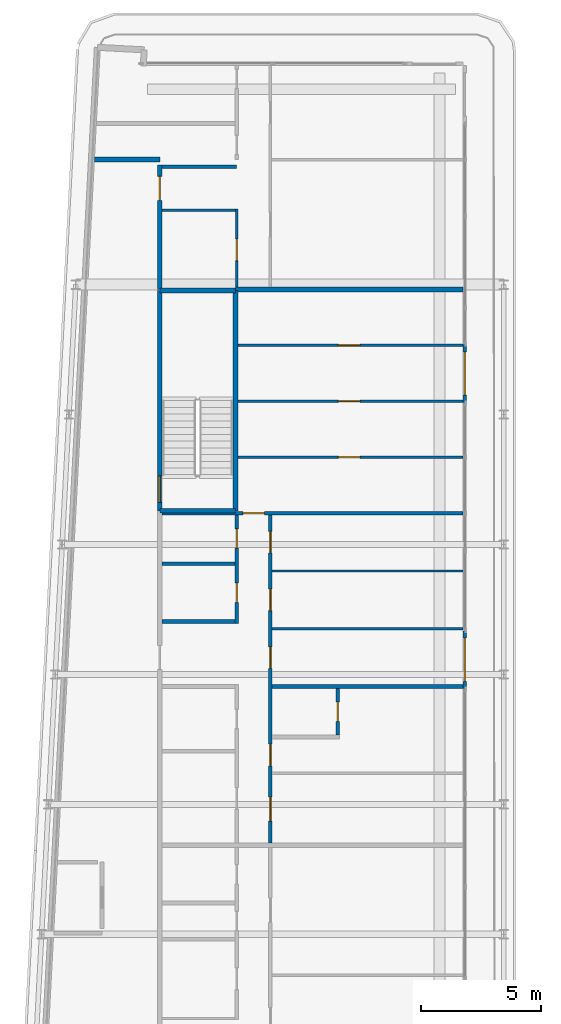
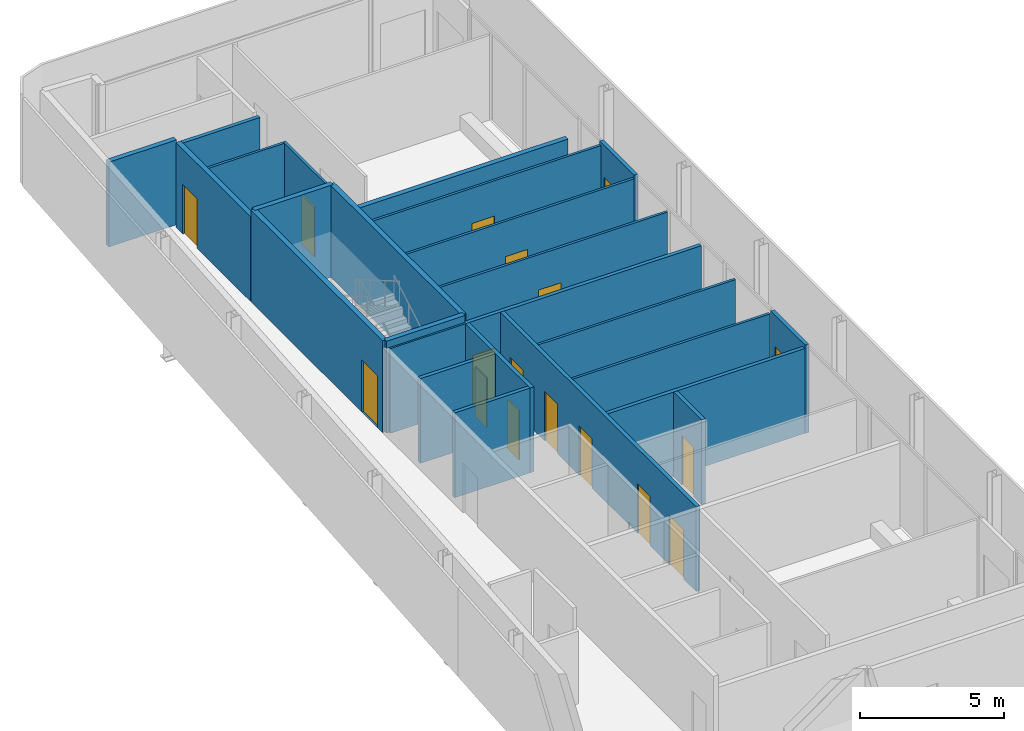
# One storey, part 11 of 18: 24 walls, 17 doors, 17 openings.
"""IFC4 building model written with IfcOpenShell, lengths in metres."""

from ifc_helpers import new_model, si_unit, direction, frame, frame_2d, origin, place, context, subcontext, project, spatial, rectangle, extrude, source, transform, mapped, material, layer, layer_set, type_object, element, fill, save


model = new_model("IFC4")

# Units and contexts
model_context = context("Model", 3, precision=1e-05, world=origin(), true_north=direction((0.0, 1.0)))
body_context = subcontext(model_context, "Body", "Model", "MODEL_VIEW")
ifc_project = project(units=[si_unit("LENGTHUNIT", "METRE"), si_unit("AREAUNIT", "SQUARE_METRE"), si_unit("VOLUMEUNIT", "CUBIC_METRE"), si_unit("PLANEANGLEUNIT", "RADIAN"), si_unit("MASSUNIT", "GRAM", prefix="KILO")], contexts=[model_context])

# Site, building, storey
site_placement = place(None, origin())
site = spatial("IfcSite", under=ifc_project, at=site_placement, CompositionType="ELEMENT")
building_placement = place(site_placement, origin())
building = spatial("IfcBuilding", under=site, at=building_placement, Name="Kheshtan School and Residences Tower", CompositionType="ELEMENT")
storey_placement = place(building_placement, frame((0.0, 0.0, 361.699951171875)))
storey = spatial("IfcBuildingStorey", under=building, at=storey_placement, Name="L85", CompositionType="ELEMENT", Elevation=361.699951171875)

# Wall
ifc_material_1 = material(Name="Gypsum board on steel studs with fire boards", Category="steel")
ifc_layer_1 = layer(ifc_material_1, 0.199951171875)
ifc_layer_set_1 = layer_set([ifc_layer_1], Name="Corridor wall 200")
wall_type_1 = type_object("IfcWallType", Name="Corridor wall 200", PredefinedType="PARTITIONING", material=ifc_layer_set_1)
wall_1_placement = place(storey_placement, frame((30.584716796875, 94.0, 0.0), z_axis=(0.0, 0.0, 1.0), x_axis=(1.0, 0.0, 0.0)))
element("IfcWall", 1, at=wall_1_placement, inside=storey, type_object=wall_type_1, Name="Partition L85-002", PredefinedType="PARTITIONING", context=body_context, shape_type="SweptSolid", body=[
    extrude(rectangle(XDim=2.71533203125, YDim=0.199951171875, at=frame_2d((1.357666015625, 0.0))), origin(), (0.0, 0.0, 1.0), 3.60009765625),
])

# Wall, opening, door
wall_2_placement = place(storey_placement, frame((33.300048828125, 88.60009765625, 0.0), z_axis=(0.0, 0.0, 1.0), x_axis=(0.0, 1.0, 0.0)))
wall_2 = element("IfcWall", 2, at=wall_2_placement, inside=storey, type_object=wall_type_1, Name="Partition L85-004", PredefinedType="PARTITIONING", context=body_context, shape_type="SweptSolid", body=[
    extrude(rectangle(XDim=5.1748046875, YDim=0.199951171875, at=frame_2d((2.58740234375, 0.0))), origin(), (0.0, 0.0, 1.0), 3.60009765625),
])
opening_1_placement = place(wall_2_placement, frame((3.699951171875, 0.0, 0.0)))
opening_1 = element("IfcOpeningElement", 3, at=opening_1_placement, cuts=wall_2, Name="Opening D85-024", PredefinedType="OPENING", context=body_context, shape_type="SweptSolid", body=[
    extrude(rectangle(XDim=1.0, YDim=2.10009765625, at=frame_2d((0.5, 1.050048828125))), frame((0.0, 0.10986328125, 0.0), z_axis=(0.0, -1.0, 0.0), x_axis=(1.0, 0.0, 0.0)), (0.0, 0.0, 1.0), 0.219970703125),
])
ifc_material_2 = material(Name="Steel-framed fire-resisting door leaf", Category="steel")
door_type_1 = type_object("IfcDoorType", Name="Fire door FD30S 1000 x 2100", OperationType="SINGLE_SWING_LEFT", PredefinedType="DOOR", material=ifc_material_2)
shared_shape_1 = source(origin(), body_context, "Body", "SweptSolid", [
    extrude(rectangle(XDim=1.0, YDim=2.10009765625, at=frame_2d((0.5, 1.050048828125))), frame((0.0, 0.02490234375, 0.0), z_axis=(0.0, -1.0, 0.0), x_axis=(1.0, 0.0, 0.0)), (0.0, 0.0, 1.0), 0.050048828125),
])
door_1_placement = place(opening_1_placement, origin())
door_1 = element("IfcDoor", 4, at=door_1_placement, inside=storey, type_object=door_type_1, Name="Door D85-024", OperationType="SINGLE_SWING_RIGHT", OverallHeight=2.10009765625, OverallWidth=1.0, PredefinedType="DOOR", context=body_context, shape_type="MappedRepresentation", body=[
    mapped(shared_shape_1, transform((0.0, 0.0, 0.0), x_axis=(1.0, 0.0, 0.0), y_axis=(0.0, 1.0, 0.0), z_axis=(0.0, 0.0, 1.0), scale=1.0)),
])
fill(opening_1, door_1)

ifc_material_3 = material(Name="Aluminium frame wall with insulated infill", Category="aluminium")
ifc_layer_2 = layer(ifc_material_3, 0.14990234375)
ifc_layer_set_2 = layer_set([ifc_layer_2], Name="Glazing frame wall 150")
wall_type_2 = type_object("IfcWallType", Name="Glazing frame wall 150", PredefinedType="SOLIDWALL", material=ifc_layer_set_2)
wall_3_placement = place(storey_placement, frame((45.97509765625, 86.305908203125, 0.0), z_axis=(0.0, 0.0, 1.0), x_axis=(0.0, -1.0, 0.0)))
wall_3 = element("IfcWall", 5, at=wall_3_placement, inside=storey, type_object=wall_type_2, Name="Balcony door wall L85 8.2", PredefinedType="SOLIDWALL", context=body_context, shape_type="SweptSolid", body=[
    extrude(rectangle(XDim=2.39990234375, YDim=0.14990234375, at=frame_2d((1.199951171875, 0.0))), origin(), (0.0, 0.0, 1.0), 3.75),
])
opening_2_placement = place(wall_3_placement, frame((0.300048828125, 0.0, 0.0)))
opening_2 = element("IfcOpeningElement", 6, at=opening_2_placement, cuts=wall_3, Name="Opening BD", PredefinedType="OPENING", context=body_context, shape_type="SweptSolid", body=[
    extrude(rectangle(XDim=1.800048828125, YDim=2.39990234375, at=frame_2d((0.89990234375, 1.199951171875))), frame((0.0, 0.0849609375, 0.0), z_axis=(0.0, -1.0, 0.0), x_axis=(1.0, 0.0, 0.0)), (0.0, 0.0, 1.0), 0.169921875),
])
ifc_material_4 = material(Name="Clear low-e glass in thermally broken aluminium frame", Category="aluminium")
door_type_2 = type_object("IfcDoorType", Name="Balcony sliding door", OperationType="SLIDING_TO_LEFT", PredefinedType="DOOR", material=ifc_material_4)
shared_shape_2 = source(origin(), body_context, "Body", "SweptSolid", [
    extrude(rectangle(XDim=1.800048828125, YDim=2.39990234375, at=frame_2d((0.89990234375, 1.199951171875))), frame((0.0, 0.02490234375, 0.0), z_axis=(0.0, -1.0, 0.0), x_axis=(1.0, 0.0, 0.0)), (0.0, 0.0, 1.0), 0.050048828125),
])
door_2_placement = place(opening_2_placement, origin())
door_2 = element("IfcDoor", 7, at=door_2_placement, inside=storey, type_object=door_type_2, Name="Balcony door L85 8.2", OperationType="SLIDING_TO_LEFT", OverallHeight=2.39990234375, OverallWidth=1.800048828125, PredefinedType="DOOR", context=body_context, shape_type="MappedRepresentation", body=[
    mapped(shared_shape_2, transform((0.0, 0.0, 0.0), x_axis=(1.0, 0.0, 0.0), y_axis=(0.0, 1.0, 0.0), z_axis=(0.0, 0.0, 1.0), scale=1.0)),
])
fill(opening_2, door_2)

wall_4_placement = place(storey_placement, frame((45.97509765625, 74.412109375, 0.0), z_axis=(0.0, 0.0, 1.0), x_axis=(0.0, -1.0, 0.0)))
wall_4 = element("IfcWall", 8, at=wall_4_placement, inside=storey, type_object=wall_type_2, Name="Balcony door wall L85 8.3", PredefinedType="SOLIDWALL", context=body_context, shape_type="SweptSolid", body=[
    extrude(rectangle(XDim=2.400146484375, YDim=0.14990234375, at=frame_2d((1.2001953125, 0.0))), origin(), (0.0, 0.0, 1.0), 3.75),
])
opening_3_placement = place(wall_4_placement, frame((0.300048828125, 0.0, 0.0)))
opening_3 = element("IfcOpeningElement", 9, at=opening_3_placement, cuts=wall_4, Name="Opening BD", PredefinedType="OPENING", context=body_context, shape_type="SweptSolid", body=[
    extrude(rectangle(XDim=1.800048828125, YDim=2.39990234375, at=frame_2d((0.89990234375, 1.199951171875))), frame((0.0, 0.0849609375, 0.0), z_axis=(0.0, -1.0, 0.0), x_axis=(1.0, 0.0, 0.0)), (0.0, 0.0, 1.0), 0.169921875),
])
door_3_placement = place(opening_3_placement, origin())
door_3 = element("IfcDoor", 10, at=door_3_placement, inside=storey, type_object=door_type_2, Name="Balcony door L85 8.3", OperationType="SLIDING_TO_LEFT", OverallHeight=2.39990234375, OverallWidth=1.800048828125, PredefinedType="DOOR", context=body_context, shape_type="MappedRepresentation", body=[
    mapped(shared_shape_2, transform((0.0, 0.0, 0.0), x_axis=(1.0, 0.0, 0.0), y_axis=(0.0, 1.0, 0.0), z_axis=(0.0, 0.0, 1.0), scale=1.0)),
])
fill(opening_3, door_3)

# Wall
ifc_material_5 = material(Name="Gypsum board on steel studs", Category="steel")
ifc_layer_3 = layer(ifc_material_5, 0.10009765625)
ifc_layer_set_3 = layer_set([ifc_layer_3], Name="Gypsum partition 100")
wall_type_3 = type_object("IfcWallType", Name="Gypsum partition 100", PredefinedType="PARTITIONING", material=ifc_layer_set_3)
wall_5_placement = place(storey_placement, frame((33.39990234375, 91.89990234375, 0.0), z_axis=(0.0, 0.0, 1.0), x_axis=(1.0, 0.0, 0.0)))
element("IfcWall", 11, at=wall_5_placement, inside=storey, type_object=wall_type_3, Name="Partition L85-015", PredefinedType="PARTITIONING", context=body_context, shape_type="SweptSolid", body=[
    extrude(rectangle(XDim=3.050048828125, YDim=0.10009765625, at=frame_2d((1.52490234375, 0.0))), origin(), (0.0, 0.0, 1.0), 3.60009765625),
])

# Wall, opening, door
wall_6_placement = place(storey_placement, frame((36.5, 88.699951171875, 0.0), z_axis=(0.0, 0.0, 1.0), x_axis=(0.0, 1.0, 0.0)))
wall_6 = element("IfcWall", 12, at=wall_6_placement, inside=storey, type_object=wall_type_3, Name="Partition L85-022", PredefinedType="PARTITIONING", context=body_context, shape_type="SweptSolid", body=[
    extrude(rectangle(XDim=3.25, YDim=0.10009765625, at=frame_2d((1.625, 0.0))), origin(), (0.0, 0.0, 1.0), 3.60009765625),
])
opening_4_placement = place(wall_6_placement, frame((1.10009765625, 0.0, 0.0)))
opening_4 = element("IfcOpeningElement", 13, at=opening_4_placement, cuts=wall_6, Name="Opening D85-025", PredefinedType="OPENING", context=body_context, shape_type="SweptSolid", body=[
    extrude(rectangle(XDim=0.89990234375, YDim=2.10009765625, at=frame_2d((0.449951171875, 1.050048828125))), frame((0.0, 0.06005859375, 0.0), z_axis=(0.0, -1.0, 0.0), x_axis=(1.0, 0.0, 0.0)), (0.0, 0.0, 1.0), 0.1201171875),
])
ifc_material_6 = material(Name="Veneered timber door leaf", Category="wood")
door_type_3 = type_object("IfcDoorType", Name="Door 900 x 2100", OperationType="SINGLE_SWING_LEFT", PredefinedType="DOOR", material=ifc_material_6)
shared_shape_3 = source(origin(), body_context, "Body", "SweptSolid", [
    extrude(rectangle(XDim=0.89990234375, YDim=2.10009765625, at=frame_2d((0.449951171875, 1.050048828125))), frame((0.0, 0.02490234375, 0.0), z_axis=(0.0, -1.0, 0.0), x_axis=(1.0, 0.0, 0.0)), (0.0, 0.0, 1.0), 0.050048828125),
])
door_4_placement = place(opening_4_placement, origin())
door_4 = element("IfcDoor", 14, at=door_4_placement, inside=storey, type_object=door_type_3, Name="Door D85-025", OperationType="SINGLE_SWING_LEFT", OverallHeight=2.10009765625, OverallWidth=0.89990234375, PredefinedType="DOOR", context=body_context, shape_type="MappedRepresentation", body=[
    mapped(shared_shape_3, transform((0.0, 0.0, 0.0), x_axis=(1.0, 0.0, 0.0), y_axis=(0.0, 1.0, 0.0), z_axis=(0.0, 0.0, 1.0), scale=1.0)),
])
fill(opening_4, door_4)

wall_7_placement = place(storey_placement, frame((36.549072265625, 81.625, 0.0), z_axis=(0.0, 0.0, 1.0), x_axis=(1.0, 0.0, 0.0)))
wall_7 = element("IfcWall", 15, at=wall_7_placement, inside=storey, type_object=wall_type_3, Name="Partition L85-024", PredefinedType="PARTITIONING", context=body_context, shape_type="SweptSolid", body=[
    extrude(rectangle(XDim=9.350830078125, YDim=0.10009765625, at=frame_2d((4.67529296875, 0.0))), origin(), (0.0, 0.0, 1.0), 3.60009765625),
])
opening_5_placement = place(wall_7_placement, frame((4.176025390625, 0.0, 0.0)))
opening_5 = element("IfcOpeningElement", 16, at=opening_5_placement, cuts=wall_7, Name="Opening D85-019", PredefinedType="OPENING", context=body_context, shape_type="SweptSolid", body=[
    extrude(rectangle(XDim=0.89990234375, YDim=2.10009765625, at=frame_2d((0.449951171875, 1.050048828125))), frame((0.0, 0.06005859375, 0.0), z_axis=(0.0, -1.0, 0.0), x_axis=(1.0, 0.0, 0.0)), (0.0, 0.0, 1.0), 0.1201171875),
])
door_5_placement = place(opening_5_placement, origin())
door_5 = element("IfcDoor", 17, at=door_5_placement, inside=storey, type_object=door_type_3, Name="Door D85-019", OperationType="SINGLE_SWING_RIGHT", OverallHeight=2.10009765625, OverallWidth=0.89990234375, PredefinedType="DOOR", context=body_context, shape_type="MappedRepresentation", body=[
    mapped(shared_shape_3, transform((0.0, 0.0, 0.0), x_axis=(1.0, 0.0, 0.0), y_axis=(0.0, 1.0, 0.0), z_axis=(0.0, 0.0, 1.0), scale=1.0)),
])
fill(opening_5, door_5)

wall_8_placement = place(storey_placement, frame((36.549072265625, 83.949951171875, 0.0), z_axis=(0.0, 0.0, 1.0), x_axis=(1.0, 0.0, 0.0)))
wall_8 = element("IfcWall", 18, at=wall_8_placement, inside=storey, type_object=wall_type_3, Name="Partition L85-025", PredefinedType="PARTITIONING", context=body_context, shape_type="SweptSolid", body=[
    extrude(rectangle(XDim=9.350830078125, YDim=0.10009765625, at=frame_2d((4.67529296875, 0.0))), origin(), (0.0, 0.0, 1.0), 3.60009765625),
])
opening_6_placement = place(wall_8_placement, frame((4.176025390625, 0.0, 0.0)))
opening_6 = element("IfcOpeningElement", 19, at=opening_6_placement, cuts=wall_8, Name="Opening D85-020", PredefinedType="OPENING", context=body_context, shape_type="SweptSolid", body=[
    extrude(rectangle(XDim=0.89990234375, YDim=2.10009765625, at=frame_2d((0.449951171875, 1.050048828125))), frame((0.0, 0.06005859375, 0.0), z_axis=(0.0, -1.0, 0.0), x_axis=(1.0, 0.0, 0.0)), (0.0, 0.0, 1.0), 0.1201171875),
])
door_6_placement = place(opening_6_placement, origin())
door_6 = element("IfcDoor", 20, at=door_6_placement, inside=storey, type_object=door_type_3, Name="Door D85-020", OperationType="SINGLE_SWING_RIGHT", OverallHeight=2.10009765625, OverallWidth=0.89990234375, PredefinedType="DOOR", context=body_context, shape_type="MappedRepresentation", body=[
    mapped(shared_shape_3, transform((0.0, 0.0, 0.0), x_axis=(1.0, 0.0, 0.0), y_axis=(0.0, 1.0, 0.0), z_axis=(0.0, 0.0, 1.0), scale=1.0)),
])
fill(opening_6, door_6)

wall_9_placement = place(storey_placement, frame((36.549072265625, 86.27490234375, 0.0), z_axis=(0.0, 0.0, 1.0), x_axis=(1.0, 0.0, 0.0)))
wall_9 = element("IfcWall", 21, at=wall_9_placement, inside=storey, type_object=wall_type_3, Name="Partition L85-026", PredefinedType="PARTITIONING", context=body_context, shape_type="SweptSolid", body=[
    extrude(rectangle(XDim=9.350830078125, YDim=0.10009765625, at=frame_2d((4.67529296875, 0.0))), origin(), (0.0, 0.0, 1.0), 3.60009765625),
])
opening_7_placement = place(wall_9_placement, frame((4.176025390625, 0.0, 0.0)))
opening_7 = element("IfcOpeningElement", 22, at=opening_7_placement, cuts=wall_9, Name="Opening D85-021", PredefinedType="OPENING", context=body_context, shape_type="SweptSolid", body=[
    extrude(rectangle(XDim=0.89990234375, YDim=2.10009765625, at=frame_2d((0.449951171875, 1.050048828125))), frame((0.0, 0.06005859375, 0.0), z_axis=(0.0, -1.0, 0.0), x_axis=(1.0, 0.0, 0.0)), (0.0, 0.0, 1.0), 0.1201171875),
])
door_7_placement = place(opening_7_placement, origin())
door_7 = element("IfcDoor", 23, at=door_7_placement, inside=storey, type_object=door_type_3, Name="Door D85-021", OperationType="SINGLE_SWING_RIGHT", OverallHeight=2.10009765625, OverallWidth=0.89990234375, PredefinedType="DOOR", context=body_context, shape_type="MappedRepresentation", body=[
    mapped(shared_shape_3, transform((0.0, 0.0, 0.0), x_axis=(1.0, 0.0, 0.0), y_axis=(0.0, 1.0, 0.0), z_axis=(0.0, 0.0, 1.0), scale=1.0)),
])
fill(opening_7, door_7)

# Walls
for number, where, z_axis, x_axis, name in (
    (24, (37.97509765625, 74.5, 0.0), (0.0, 0.0, 1.0), (1.0, 0.0, 0.0), "Partition L85-035"),
    (25, (37.97509765625, 76.89990234375, 0.0), (0.0, 0.0, 1.0), (1.0, 0.0, 0.0), "Partition L85-036"),
):
    element("IfcWall", number, at=place(storey_placement, frame(where, z_axis=z_axis, x_axis=x_axis)), inside=storey, type_object=wall_type_3, Name=name, PredefinedType="PARTITIONING", context=body_context, shape_type="SweptSolid", body=[
        extrude(rectangle(XDim=7.9248046875, YDim=0.10009765625, at=frame_2d((3.96240234375, 0.0))), origin(), (0.0, 0.0, 1.0), 3.60009765625),
    ])
ifc_material_7 = material(Name="Concrete C40/50", Category="concrete")
ifc_layer_4 = layer(ifc_material_7, 0.199951171875)
ifc_layer_set_4 = layer_set([ifc_layer_4], Name="Stair enclosure wall 200 Concrete C40/50")
wall_type_4 = type_object("IfcWallType", Name="Stair enclosure wall 200 Concrete C40/50", PredefinedType="SHEAR", material=ifc_layer_set_4)
for number, where, z_axis, x_axis, name in (
    (26, (33.300048828125, 79.39990234375, 0.0), (0.0, 0.0, 1.0), (1.0, 0.0, 0.0), "Stair enclosure wall ST3"),
    (27, (33.300048828125, 88.56005859375, 0.0), (0.0, 0.0, 1.0), (1.0, 0.0, 0.0), "Stair enclosure wall ST3"),
):
    element("IfcWall", number, at=place(storey_placement, frame(where, z_axis=z_axis, x_axis=x_axis)), inside=storey, type_object=wall_type_4, Name=name, PredefinedType="SHEAR", context=body_context, shape_type="SweptSolid", body=[
        extrude(rectangle(XDim=3.14990234375, YDim=0.199951171875, at=frame_2d((1.574951171875, 0.0))), origin(), (0.0, 0.0, 1.0), 3.900146484375),
    ])

# Wall, opening, door
wall_10_placement = place(storey_placement, frame((33.300048828125, 79.39990234375, 0.0), z_axis=(0.0, 0.0, 1.0), x_axis=(0.0, 1.0, 0.0)))
wall_10 = element("IfcWall", 28, at=wall_10_placement, inside=storey, type_object=wall_type_4, Name="Stair enclosure wall ST3", PredefinedType="SHEAR", context=body_context, shape_type="SweptSolid", body=[
    extrude(rectangle(XDim=9.16015625, YDim=0.199951171875, at=frame_2d((4.580078125, 0.0))), origin(), (0.0, 0.0, 1.0), 3.900146484375),
])
opening_8_placement = place(wall_10_placement, frame((0.35009765625, 0.0, 0.0)))
opening_8 = element("IfcOpeningElement", 29, at=opening_8_placement, cuts=wall_10, Name="Opening ST3D", PredefinedType="OPENING", context=body_context, shape_type="SweptSolid", body=[
    extrude(rectangle(XDim=1.10009765625, YDim=2.199951171875, at=frame_2d((0.550048828125, 1.10009765625))), frame((0.0, 0.10986328125, 0.0), z_axis=(0.0, -1.0, 0.0), x_axis=(1.0, 0.0, 0.0)), (0.0, 0.0, 1.0), 0.219970703125),
])
ifc_material_8 = material(Name="Steel door leaf, galvanised", Category="steel")
door_type_4 = type_object("IfcDoorType", Name="Stair door 1100 steel 90 min", OperationType="SINGLE_SWING_LEFT", PredefinedType="DOOR", material=ifc_material_8)
shared_shape_4 = source(origin(), body_context, "Body", "SweptSolid", [
    extrude(rectangle(XDim=1.10009765625, YDim=2.199951171875, at=frame_2d((0.550048828125, 1.10009765625))), frame((0.0, 0.02490234375, 0.0), z_axis=(0.0, -1.0, 0.0), x_axis=(1.0, 0.0, 0.0)), (0.0, 0.0, 1.0), 0.050048828125),
])
door_8_placement = place(opening_8_placement, origin())
door_8 = element("IfcDoor", 30, at=door_8_placement, inside=storey, type_object=door_type_4, Name="Stair ST3 door", OperationType="SINGLE_SWING_RIGHT", OverallHeight=2.199951171875, OverallWidth=1.10009765625, PredefinedType="DOOR", context=body_context, shape_type="MappedRepresentation", body=[
    mapped(shared_shape_4, transform((0.0, 0.0, 0.0), x_axis=(1.0, 0.0, 0.0), y_axis=(0.0, 1.0, 0.0), z_axis=(0.0, 0.0, 1.0), scale=1.0)),
])
fill(opening_8, door_8)

# Walls
wall_11_placement = place(storey_placement, frame((36.449951171875, 79.39990234375, 0.0), z_axis=(0.0, 0.0, 1.0), x_axis=(0.0, 1.0, 0.0)))
element("IfcWall", 31, at=wall_11_placement, inside=storey, type_object=wall_type_4, Name="Stair enclosure wall ST3", PredefinedType="SHEAR", context=body_context, shape_type="SweptSolid", body=[
    extrude(rectangle(XDim=9.16015625, YDim=0.199951171875, at=frame_2d((4.580078125, 0.0))), origin(), (0.0, 0.0, 1.0), 3.900146484375),
])
ifc_material_9 = material(Name="Twin gypsum board on steel studs with mineral wool", Category="steel")
ifc_layer_5 = layer(ifc_material_9, 0.199951171875)
ifc_layer_set_5 = layer_set([ifc_layer_5], Name="Unit demising wall 200")
wall_type_5 = type_object("IfcWallType", Name="Unit demising wall 200", PredefinedType="PARTITIONING", material=ifc_layer_set_5)
wall_12_placement = place(storey_placement, frame((36.449951171875, 88.60009765625, 0.0), z_axis=(0.0, 0.0, 1.0), x_axis=(1.0, 0.0, 0.0)))
element("IfcWall", 32, at=wall_12_placement, inside=storey, type_object=wall_type_5, Name="Partition L85-018", PredefinedType="PARTITIONING", context=body_context, shape_type="SweptSolid", body=[
    extrude(rectangle(XDim=9.449951171875, YDim=0.199951171875, at=frame_2d((4.72509765625, 0.0))), origin(), (0.0, 0.0, 1.0), 2.5),
])
ifc_material_10 = material(Name="Moisture-resistant gypsum board on steel studs", Category="steel")
ifc_layer_6 = layer(ifc_material_10, 0.14990234375)
ifc_layer_set_6 = layer_set([ifc_layer_6], Name="Wet-room partition 150")
wall_type_6 = type_object("IfcWallType", Name="Wet-room partition 150", PredefinedType="PARTITIONING", material=ifc_layer_set_6)
for number, where, z_axis, x_axis, name in (
    (33, (33.39990234375, 74.800048828125, 0.0), (0.0, 0.0, 1.0), (1.0, 0.0, 0.0), "Partition L85-012"),
    (34, (33.39990234375, 77.199951171875, 0.0), (0.0, 0.0, 1.0), (1.0, 0.0, 0.0), "Partition L85-013"),
):
    element("IfcWall", number, at=place(storey_placement, frame(where, z_axis=z_axis, x_axis=x_axis)), inside=storey, type_object=wall_type_6, Name=name, PredefinedType="PARTITIONING", context=body_context, shape_type="SweptSolid", body=[
        extrude(rectangle(XDim=3.025146484375, YDim=0.14990234375, at=frame_2d((1.5126953125, 0.0))), origin(), (0.0, 0.0, 1.0), 3.60009765625),
    ])

# Wall, opening, door
wall_13_placement = place(storey_placement, frame((33.39990234375, 79.300048828125, 0.0), z_axis=(0.0, 0.0, 1.0), x_axis=(1.0, 0.0, 0.0)))
wall_13 = element("IfcWall", 35, at=wall_13_placement, inside=storey, type_object=wall_type_6, Name="Partition L85-014", PredefinedType="PARTITIONING", context=body_context, shape_type="SweptSolid", body=[
    extrude(rectangle(XDim=12.5, YDim=0.14990234375, at=frame_2d((6.25, 0.0))), origin(), (0.0, 0.0, 1.0), 3.60009765625),
])
opening_9_placement = place(wall_13_placement, frame((3.35009765625, 0.0, 0.0)))
opening_9 = element("IfcOpeningElement", 36, at=opening_9_placement, cuts=wall_13, Name="Opening D85-018", PredefinedType="OPENING", context=body_context, shape_type="SweptSolid", body=[
    extrude(rectangle(XDim=0.89990234375, YDim=2.10009765625, at=frame_2d((0.449951171875, 1.050048828125))), frame((0.0, 0.0849609375, 0.0), z_axis=(0.0, -1.0, 0.0), x_axis=(1.0, 0.0, 0.0)), (0.0, 0.0, 1.0), 0.169921875),
])
door_9_placement = place(opening_9_placement, origin())
door_9 = element("IfcDoor", 37, at=door_9_placement, inside=storey, type_object=door_type_3, Name="Door D85-018", OperationType="SINGLE_SWING_LEFT", OverallHeight=2.10009765625, OverallWidth=0.89990234375, PredefinedType="DOOR", context=body_context, shape_type="MappedRepresentation", body=[
    mapped(shared_shape_3, transform((0.0, 0.0, 0.0), x_axis=(1.0, 0.0, 0.0), y_axis=(0.0, 1.0, 0.0), z_axis=(0.0, 0.0, 1.0), scale=1.0)),
])
fill(opening_9, door_9)

# Wall
wall_14_placement = place(storey_placement, frame((33.39990234375, 93.699951171875, 0.0), z_axis=(0.0, 0.0, 1.0), x_axis=(1.0, 0.0, 0.0)))
element("IfcWall", 38, at=wall_14_placement, inside=storey, type_object=wall_type_6, Name="Partition L85-016", PredefinedType="PARTITIONING", context=body_context, shape_type="SweptSolid", body=[
    extrude(rectangle(XDim=3.10009765625, YDim=0.14990234375, at=frame_2d((1.550048828125, 0.0))), origin(), (0.0, 0.0, 1.0), 3.60009765625),
])

# Wall, openings, doors
wall_15_placement = place(storey_placement, frame((36.5, 74.72509765625, 0.0), z_axis=(0.0, 0.0, 1.0), x_axis=(0.0, 1.0, 0.0)))
wall_15 = element("IfcWall", 39, at=wall_15_placement, inside=storey, type_object=wall_type_6, Name="Partition L85-021", PredefinedType="PARTITIONING", context=body_context, shape_type="SweptSolid", body=[
    extrude(rectangle(XDim=4.5, YDim=0.14990234375, at=frame_2d((2.25, 0.0))), origin(), (0.0, 0.0, 1.0), 3.60009765625),
])
opening_10_placement = place(wall_15_placement, frame((0.875, 0.0, 0.0)))
opening_10 = element("IfcOpeningElement", 40, at=opening_10_placement, cuts=wall_15, Name="Opening D85-008", PredefinedType="OPENING", context=body_context, shape_type="SweptSolid", body=[
    extrude(rectangle(XDim=0.800048828125, YDim=2.10009765625, at=frame_2d((0.39990234375, 1.050048828125))), frame((0.0, 0.0849609375, 0.0), z_axis=(0.0, -1.0, 0.0), x_axis=(1.0, 0.0, 0.0)), (0.0, 0.0, 1.0), 0.169921875),
])
opening_11_placement = place(wall_15_placement, frame((3.125, 0.0, 0.0)))
opening_11 = element("IfcOpeningElement", 41, at=opening_11_placement, cuts=wall_15, Name="Opening D85-017", PredefinedType="OPENING", context=body_context, shape_type="SweptSolid", body=[
    extrude(rectangle(XDim=0.800048828125, YDim=2.10009765625, at=frame_2d((0.39990234375, 1.050048828125))), frame((0.0, 0.0849609375, 0.0), z_axis=(0.0, -1.0, 0.0), x_axis=(1.0, 0.0, 0.0)), (0.0, 0.0, 1.0), 0.169921875),
])
door_type_5 = type_object("IfcDoorType", Name="Door 800 x 2100", OperationType="SINGLE_SWING_LEFT", PredefinedType="DOOR", material=ifc_material_6)
shared_shape_5 = source(origin(), body_context, "Body", "SweptSolid", [
    extrude(rectangle(XDim=0.800048828125, YDim=2.10009765625, at=frame_2d((0.39990234375, 1.050048828125))), frame((0.0, 0.02490234375, 0.0), z_axis=(0.0, -1.0, 0.0), x_axis=(1.0, 0.0, 0.0)), (0.0, 0.0, 1.0), 0.050048828125),
])
door_10_placement = place(opening_10_placement, origin())
door_10 = element("IfcDoor", 42, at=door_10_placement, inside=storey, type_object=door_type_5, Name="Door D85-008", OperationType="SINGLE_SWING_LEFT", OverallHeight=2.10009765625, OverallWidth=0.800048828125, PredefinedType="DOOR", context=body_context, shape_type="MappedRepresentation", body=[
    mapped(shared_shape_5, transform((0.0, 0.0, 0.0), x_axis=(1.0, 0.0, 0.0), y_axis=(0.0, 1.0, 0.0), z_axis=(0.0, 0.0, 1.0), scale=1.0)),
])
fill(opening_10, door_10)
door_11_placement = place(opening_11_placement, origin())
door_11 = element("IfcDoor", 43, at=door_11_placement, inside=storey, type_object=door_type_5, Name="Door D85-017", OperationType="SINGLE_SWING_LEFT", OverallHeight=2.10009765625, OverallWidth=0.800048828125, PredefinedType="DOOR", context=body_context, shape_type="MappedRepresentation", body=[
    mapped(shared_shape_5, transform((0.0, 0.0, 0.0), x_axis=(1.0, 0.0, 0.0), y_axis=(0.0, 1.0, 0.0), z_axis=(0.0, 0.0, 1.0), scale=1.0)),
])
fill(opening_11, door_11)

wall_16_placement = place(storey_placement, frame((37.89990234375, 65.60009765625, 0.0), z_axis=(0.0, 0.0, 1.0), x_axis=(0.0, 1.0, 0.0)))
wall_16 = element("IfcWall", 44, at=wall_16_placement, inside=storey, type_object=wall_type_6, Name="Partition L85-028", PredefinedType="PARTITIONING", context=body_context, shape_type="SweptSolid", body=[
    extrude(rectangle(XDim=13.625, YDim=0.14990234375, at=frame_2d((6.8125, 0.0))), origin(), (0.0, 0.0, 1.0), 3.60009765625),
])
opening_12_placement = place(wall_16_placement, frame((7.25, 0.0, 0.0)))
opening_12 = element("IfcOpeningElement", 45, at=opening_12_placement, cuts=wall_16, Name="Opening D85-009", PredefinedType="OPENING", context=body_context, shape_type="SweptSolid", body=[
    extrude(rectangle(XDim=0.89990234375, YDim=2.10009765625, at=frame_2d((0.449951171875, 1.050048828125))), frame((0.0, 0.0849609375, 0.0), z_axis=(0.0, -1.0, 0.0), x_axis=(1.0, 0.0, 0.0)), (0.0, 0.0, 1.0), 0.169921875),
])
opening_13_placement = place(wall_16_placement, frame((12.050048828125, 0.0, 0.0)))
opening_13 = element("IfcOpeningElement", 46, at=opening_13_placement, cuts=wall_16, Name="Opening D85-010", PredefinedType="OPENING", context=body_context, shape_type="SweptSolid", body=[
    extrude(rectangle(XDim=0.89990234375, YDim=2.10009765625, at=frame_2d((0.449951171875, 1.050048828125))), frame((0.0, 0.0849609375, 0.0), z_axis=(0.0, -1.0, 0.0), x_axis=(1.0, 0.0, 0.0)), (0.0, 0.0, 1.0), 0.169921875),
])
opening_14_placement = place(wall_16_placement, frame((0.89990234375, 0.0, 0.0)))
opening_14 = element("IfcOpeningElement", 47, at=opening_14_placement, cuts=wall_16, Name="Opening D85-014", PredefinedType="OPENING", context=body_context, shape_type="SweptSolid", body=[
    extrude(rectangle(XDim=1.0, YDim=2.10009765625, at=frame_2d((0.5, 1.050048828125))), frame((0.0, 0.0849609375, 0.0), z_axis=(0.0, -1.0, 0.0), x_axis=(1.0, 0.0, 0.0)), (0.0, 0.0, 1.0), 0.169921875),
])
opening_15_placement = place(wall_16_placement, frame((9.64990234375, 0.0, 0.0)))
opening_15 = element("IfcOpeningElement", 48, at=opening_15_placement, cuts=wall_16, Name="Opening D85-015", PredefinedType="OPENING", context=body_context, shape_type="SweptSolid", body=[
    extrude(rectangle(XDim=0.89990234375, YDim=2.10009765625, at=frame_2d((0.449951171875, 1.050048828125))), frame((0.0, 0.0849609375, 0.0), z_axis=(0.0, -1.0, 0.0), x_axis=(1.0, 0.0, 0.0)), (0.0, 0.0, 1.0), 0.169921875),
])
opening_16_placement = place(wall_16_placement, frame((3.199951171875, 0.0, 0.0)))
opening_16 = element("IfcOpeningElement", 49, at=opening_16_placement, cuts=wall_16, Name="Opening D85-016", PredefinedType="OPENING", context=body_context, shape_type="SweptSolid", body=[
    extrude(rectangle(XDim=0.89990234375, YDim=2.10009765625, at=frame_2d((0.449951171875, 1.050048828125))), frame((0.0, 0.0849609375, 0.0), z_axis=(0.0, -1.0, 0.0), x_axis=(1.0, 0.0, 0.0)), (0.0, 0.0, 1.0), 0.169921875),
])
door_type_6 = type_object("IfcDoorType", Name="Door 1000 x 2100", OperationType="SINGLE_SWING_LEFT", PredefinedType="DOOR", material=ifc_material_6)
shared_shape_6 = source(origin(), body_context, "Body", "SweptSolid", [
    extrude(rectangle(XDim=1.0, YDim=2.10009765625, at=frame_2d((0.5, 1.050048828125))), frame((0.0, 0.02490234375, 0.0), z_axis=(0.0, -1.0, 0.0), x_axis=(1.0, 0.0, 0.0)), (0.0, 0.0, 1.0), 0.050048828125),
])
door_12_placement = place(opening_14_placement, origin())
door_12 = element("IfcDoor", 50, at=door_12_placement, inside=storey, type_object=door_type_6, Name="Door D85-014", OperationType="SINGLE_SWING_RIGHT", OverallHeight=2.10009765625, OverallWidth=1.0, PredefinedType="DOOR", context=body_context, shape_type="MappedRepresentation", body=[
    mapped(shared_shape_6, transform((0.0, 0.0, 0.0), x_axis=(1.0, 0.0, 0.0), y_axis=(0.0, 1.0, 0.0), z_axis=(0.0, 0.0, 1.0), scale=1.0)),
])
fill(opening_14, door_12)
door_13_placement = place(opening_12_placement, origin())
door_13 = element("IfcDoor", 51, at=door_13_placement, inside=storey, type_object=door_type_3, Name="Door D85-009", OperationType="SINGLE_SWING_LEFT", OverallHeight=2.10009765625, OverallWidth=0.89990234375, PredefinedType="DOOR", context=body_context, shape_type="MappedRepresentation", body=[
    mapped(shared_shape_3, transform((0.0, 0.0, 0.0), x_axis=(1.0, 0.0, 0.0), y_axis=(0.0, 1.0, 0.0), z_axis=(0.0, 0.0, 1.0), scale=1.0)),
])
fill(opening_12, door_13)
door_14_placement = place(opening_13_placement, origin())
door_14 = element("IfcDoor", 52, at=door_14_placement, inside=storey, type_object=door_type_3, Name="Door D85-010", OperationType="SINGLE_SWING_LEFT", OverallHeight=2.10009765625, OverallWidth=0.89990234375, PredefinedType="DOOR", context=body_context, shape_type="MappedRepresentation", body=[
    mapped(shared_shape_3, transform((0.0, 0.0, 0.0), x_axis=(1.0, 0.0, 0.0), y_axis=(0.0, 1.0, 0.0), z_axis=(0.0, 0.0, 1.0), scale=1.0)),
])
fill(opening_13, door_14)
door_15_placement = place(opening_15_placement, origin())
door_15 = element("IfcDoor", 53, at=door_15_placement, inside=storey, type_object=door_type_3, Name="Door D85-015", OperationType="SINGLE_SWING_LEFT", OverallHeight=2.10009765625, OverallWidth=0.89990234375, PredefinedType="DOOR", context=body_context, shape_type="MappedRepresentation", body=[
    mapped(shared_shape_3, transform((0.0, 0.0, 0.0), x_axis=(1.0, 0.0, 0.0), y_axis=(0.0, 1.0, 0.0), z_axis=(0.0, 0.0, 1.0), scale=1.0)),
])
fill(opening_15, door_15)
door_16_placement = place(opening_16_placement, origin())
door_16 = element("IfcDoor", 54, at=door_16_placement, inside=storey, type_object=door_type_3, Name="Door D85-016", OperationType="SINGLE_SWING_LEFT", OverallHeight=2.10009765625, OverallWidth=0.89990234375, PredefinedType="DOOR", context=body_context, shape_type="MappedRepresentation", body=[
    mapped(shared_shape_3, transform((0.0, 0.0, 0.0), x_axis=(1.0, 0.0, 0.0), y_axis=(0.0, 1.0, 0.0), z_axis=(0.0, 0.0, 1.0), scale=1.0)),
])
fill(opening_16, door_16)

# Wall
wall_17_placement = place(storey_placement, frame((37.97509765625, 72.10009765625, 0.0), z_axis=(0.0, 0.0, 1.0), x_axis=(1.0, 0.0, 0.0)))
element("IfcWall", 55, at=wall_17_placement, inside=storey, type_object=wall_type_6, Name="Partition L85-034", PredefinedType="PARTITIONING", context=body_context, shape_type="SweptSolid", body=[
    extrude(rectangle(XDim=7.9248046875, YDim=0.14990234375, at=frame_2d((3.96240234375, 0.0))), origin(), (0.0, 0.0, 1.0), 3.60009765625),
])

# Wall, opening, door
wall_18_placement = place(storey_placement, frame((40.699951171875, 70.074951171875, 0.0), z_axis=(0.0, 0.0, 1.0), x_axis=(0.0, 1.0, 0.0)))
wall_18 = element("IfcWall", 56, at=wall_18_placement, inside=storey, type_object=wall_type_6, Name="Partition L85-038", PredefinedType="PARTITIONING", context=body_context, shape_type="SweptSolid", body=[
    extrude(rectangle(XDim=1.949951171875, YDim=0.14990234375, at=frame_2d((0.97509765625, 0.0))), origin(), (0.0, 0.0, 1.0), 3.60009765625),
])
opening_17_placement = place(wall_18_placement, frame((0.574951171875, 0.0, 0.0)))
opening_17 = element("IfcOpeningElement", 57, at=opening_17_placement, cuts=wall_18, Name="Opening D85-011", PredefinedType="OPENING", context=body_context, shape_type="SweptSolid", body=[
    extrude(rectangle(XDim=0.800048828125, YDim=2.10009765625, at=frame_2d((0.39990234375, 1.050048828125))), frame((0.0, 0.0849609375, 0.0), z_axis=(0.0, -1.0, 0.0), x_axis=(1.0, 0.0, 0.0)), (0.0, 0.0, 1.0), 0.169921875),
])
door_17_placement = place(opening_17_placement, origin())
door_17 = element("IfcDoor", 58, at=door_17_placement, inside=storey, type_object=door_type_5, Name="Door D85-011", OperationType="SINGLE_SWING_RIGHT", OverallHeight=2.10009765625, OverallWidth=0.800048828125, PredefinedType="DOOR", context=body_context, shape_type="MappedRepresentation", body=[
    mapped(shared_shape_5, transform((0.0, 0.0, 0.0), x_axis=(1.0, 0.0, 0.0), y_axis=(0.0, 1.0, 0.0), z_axis=(0.0, 0.0, 1.0), scale=1.0)),
])
fill(opening_17, door_17)

save(model, "model.ifc")
